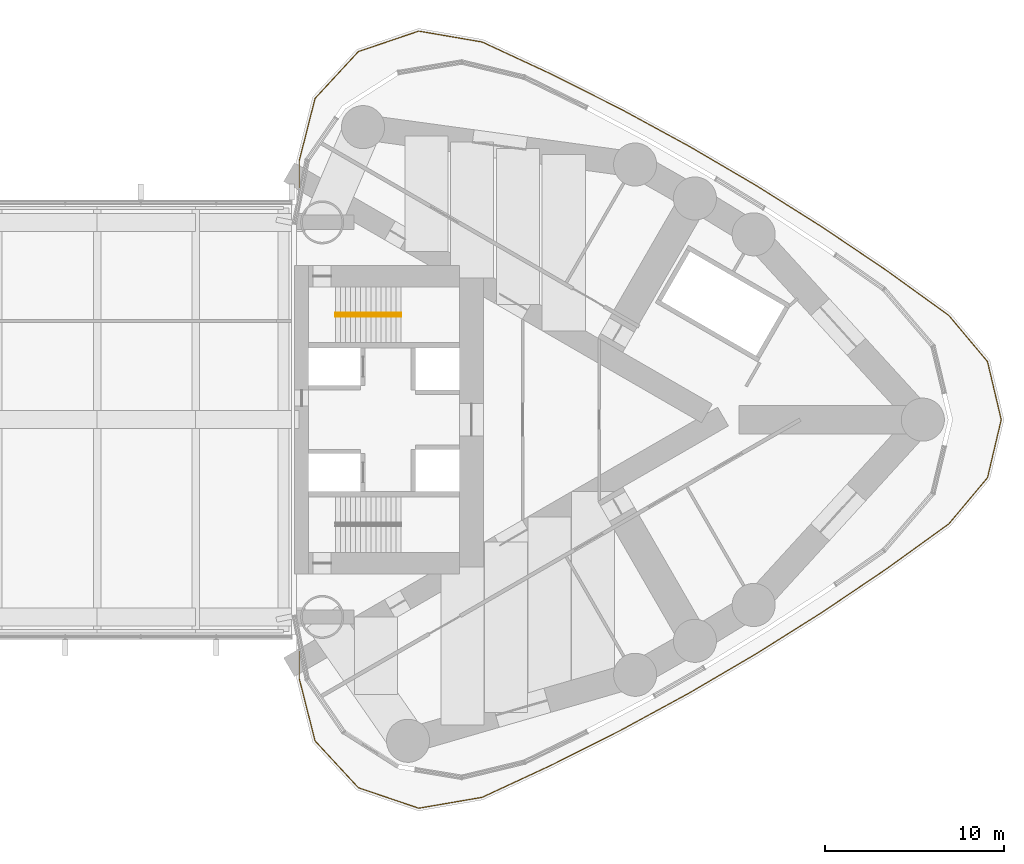
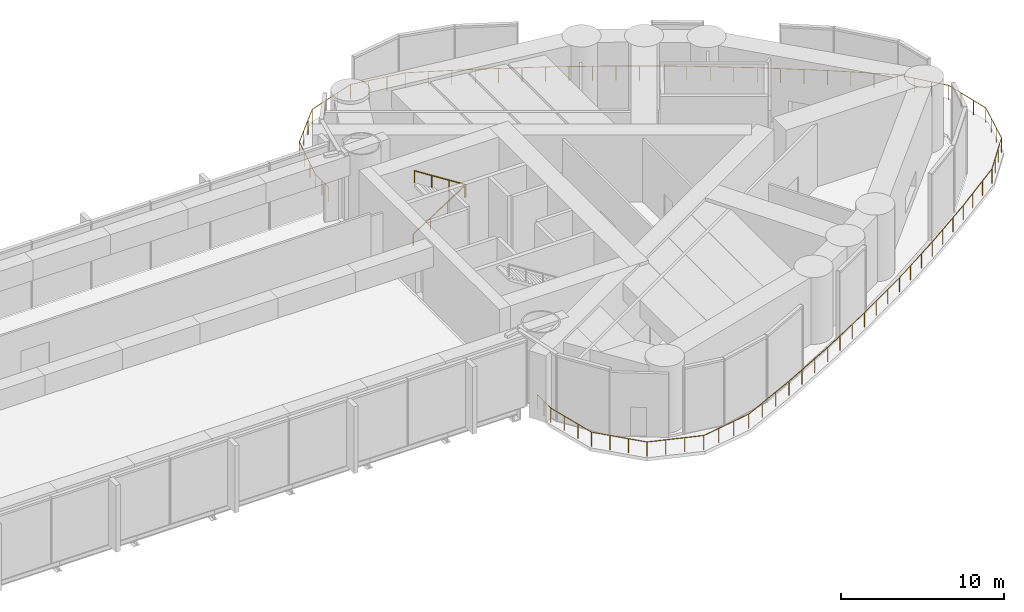
# One storey, part 22 of 22: 3 railings.
"""IFC4 building model written with IfcOpenShell, lengths in metres."""

from ifc_helpers import new_model, si_unit, direction, frame, origin, origin_2d, place, context, subcontext, project, spatial, circle, extrude, material, type_object, element, save


model = new_model("IFC4")

# Units and contexts
model_context = context("Model", 3, precision=1e-05, world=origin(), true_north=direction((0.0, 1.0)))
body_context = subcontext(model_context, "Body", "Model", "MODEL_VIEW")
ifc_project = project(units=[si_unit("LENGTHUNIT", "METRE"), si_unit("AREAUNIT", "SQUARE_METRE"), si_unit("VOLUMEUNIT", "CUBIC_METRE"), si_unit("PLANEANGLEUNIT", "RADIAN"), si_unit("MASSUNIT", "GRAM", prefix="KILO")], contexts=[model_context])

# Site, building, storey
site_placement = place(None, origin())
site = spatial("IfcSite", under=ifc_project, at=site_placement, CompositionType="ELEMENT")
building_placement = place(site_placement, origin())
building = spatial("IfcBuilding", under=site, at=building_placement, Name="Lancet Gate Hotel", CompositionType="ELEMENT")
storey_placement = place(building_placement, frame((0.0, 0.0, 210.300048828125)))
storey = spatial("IfcBuildingStorey", under=building, at=storey_placement, Name="L56", CompositionType="ELEMENT", Elevation=210.300048828125)

# Railings
ifc_material_1 = material(Name="Galvanised steel guard rail", Category="steel")
railing_type_1 = type_object("IfcRailingType", Name="Roof guard rail 1100", PredefinedType="GUARDRAIL", material=ifc_material_1)
railing_1_placement = place(storey_placement, frame((27.77001953125, -12.775146484375, 0.0)))
element("IfcRailing", 1, at=railing_1_placement, inside=storey, type_object=railing_type_1, Name="T2 L56 maintenance roof guard rail", PredefinedType="GUARDRAIL", context=body_context, shape_type="SweptSolid", body=[
    extrude(circle(Radius=0.02392578125, at=origin_2d()), frame((0.0, 0.0, 1.076171875), z_axis=(0.0, -1.0, 0.0), x_axis=(1.0, 0.0, 0.0)), (0.0, 0.0, 1.0), 1.65673828125),
    extrude(circle(Radius=0.02392578125, at=origin_2d()), frame((0.0, -1.65673828125, 1.076171875), z_axis=(0.246166014006, -0.969227678901, 0.0), x_axis=(0.969227678901, 0.246166014006, 0.0)), (0.0, 0.0, 1.0), 3.59033203125),
    extrude(circle(Radius=0.02392578125, at=origin_2d()), frame((0.8837890625, -5.136474609375, 1.076171875), z_axis=(0.678856006952, -0.734271422449, 0.0), x_axis=(0.734271422449, 0.678856006952, 0.0)), (0.0, 0.0, 1.0), 3.555419921875),
    extrude(circle(Radius=0.02392578125, at=origin_2d()), frame((3.29736328125, -7.7470703125, 1.076171875), z_axis=(0.946952580386, -0.321373319522, 0.0), x_axis=(0.321373319522, 0.946952580386, 0.0)), (0.0, 0.0, 1.0), 3.555419921875),
    extrude(circle(Radius=0.02392578125, at=origin_2d()), frame((6.6640625, -8.8896484375, 1.076171875), z_axis=(0.985542500389, 0.16942839174, 0.0), x_axis=(-0.16942839174, 0.985542500389, 0.0)), (0.0, 0.0, 1.0), 3.587890625),
    extrude(circle(Radius=0.02392578125, at=origin_2d()), frame((10.2001953125, -8.28173828125, 1.076171875), z_axis=(0.906929835868, 0.421281702442, 0.0), x_axis=(-0.421281702442, 0.906929835868, 0.0)), (0.0, 0.0, 1.0), 4.293701171875),
    extrude(circle(Radius=0.02392578125, at=origin_2d()), frame((14.09423828125, -6.472900390625, 1.076171875), z_axis=(0.893102516812, 0.449853192125, 0.0), x_axis=(-0.449853192125, 0.893102516812, 0.0)), (0.0, 0.0, 1.0), 4.325439453125),
    extrude(circle(Radius=0.02392578125, at=origin_2d()), frame((17.957275390625, -4.527099609375, 1.076171875), z_axis=(0.878414901966, 0.477898796822, 0.0), x_axis=(-0.477898796822, 0.878414901966, 0.0)), (0.0, 0.0, 1.0), 4.325439453125),
    extrude(circle(Radius=0.02392578125, at=origin_2d()), frame((21.7568359375, -2.4599609375, 1.076171875), z_axis=(0.862815132325, 0.50551958165, 0.0), x_axis=(-0.50551958165, 0.862815132325, 0.0)), (0.0, 0.0, 1.0), 4.3251953125),
    extrude(circle(Radius=0.02392578125, at=origin_2d()), frame((25.48876953125, -0.2734375, 1.076171875), z_axis=(0.84636760055, 0.532599178312, 0.0), x_axis=(-0.532599178312, 0.84636760055, 0.0)), (0.0, 0.0, 1.0), 4.325439453125),
    extrude(circle(Radius=0.02392578125, at=origin_2d()), frame((29.149658203125, 2.0302734375, 1.076171875), z_axis=(0.829042311204, 0.55918587807, 0.0), x_axis=(-0.55918587807, 0.829042311204, 0.0)), (0.0, 0.0, 1.0), 4.325439453125),
    extrude(circle(Radius=0.02392578125, at=origin_2d()), frame((32.735595703125, 4.448974609375, 1.076171875), z_axis=(0.810878482815, 0.585214564162, 0.0), x_axis=(-0.585214564162, 0.810878482815, 0.0)), (0.0, 0.0, 1.0), 4.296142578125),
    extrude(circle(Radius=0.02392578125, at=origin_2d()), frame((36.21923828125, 6.963134765625, 1.076171875), z_axis=(0.642199078384, 0.766537894512, 0.0), x_axis=(-0.766537894512, 0.642199078384, 0.0)), (0.0, 0.0, 1.0), 3.357666015625),
    extrude(circle(Radius=0.02392578125, at=origin_2d()), frame((38.37548828125, 9.536865234375, 1.076171875), z_axis=(0.23036400929, 0.973104528416, 0.0), x_axis=(-0.973104528416, 0.23036400929, 0.0)), (0.0, 0.0, 1.0), 3.327880859375),
    extrude(circle(Radius=0.02392578125, at=origin_2d()), frame((39.14208984375, 12.775146484375, 1.076171875), z_axis=(-0.23036400929, 0.973104528416, 0.0), x_axis=(-0.973104528416, -0.23036400929, 0.0)), (0.0, 0.0, 1.0), 3.327880859375),
    extrude(circle(Radius=0.02392578125, at=origin_2d()), frame((38.37548828125, 16.013427734375, 1.076171875), z_axis=(-0.642199078384, 0.766537894512, 0.0), x_axis=(-0.766537894512, -0.642199078384, 0.0)), (0.0, 0.0, 1.0), 3.357666015625),
    extrude(circle(Radius=0.02392578125, at=origin_2d()), frame((36.21923828125, 18.587158203125, 1.076171875), z_axis=(-0.810878482815, 0.585214564162, 0.0), x_axis=(-0.585214564162, -0.810878482815, 0.0)), (0.0, 0.0, 1.0), 4.296142578125),
    extrude(circle(Radius=0.02392578125, at=origin_2d()), frame((32.735595703125, 21.101318359375, 1.076171875), z_axis=(-0.829042311204, 0.55918587807, 0.0), x_axis=(-0.55918587807, -0.829042311204, 0.0)), (0.0, 0.0, 1.0), 4.325439453125),
    extrude(circle(Radius=0.02392578125, at=origin_2d()), frame((29.149658203125, 23.52001953125, 1.076171875), z_axis=(-0.84636760055, 0.532599178312, 0.0), x_axis=(-0.532599178312, -0.84636760055, 0.0)), (0.0, 0.0, 1.0), 4.325439453125),
    extrude(circle(Radius=0.02392578125, at=origin_2d()), frame((25.48876953125, 25.82373046875, 1.076171875), z_axis=(-0.862815132325, 0.50551958165, 0.0), x_axis=(-0.50551958165, -0.862815132325, 0.0)), (0.0, 0.0, 1.0), 4.3251953125),
    extrude(circle(Radius=0.02392578125, at=origin_2d()), frame((21.7568359375, 28.01025390625, 1.076171875), z_axis=(-0.878414901966, 0.477898796822, 0.0), x_axis=(-0.477898796822, -0.878414901966, 0.0)), (0.0, 0.0, 1.0), 4.325439453125),
    extrude(circle(Radius=0.02392578125, at=origin_2d()), frame((17.957275390625, 30.077392578125, 1.076171875), z_axis=(-0.893102516812, 0.449853192125, 0.0), x_axis=(-0.449853192125, -0.893102516812, 0.0)), (0.0, 0.0, 1.0), 4.325439453125),
    extrude(circle(Radius=0.02392578125, at=origin_2d()), frame((14.09423828125, 32.023193359375, 1.076171875), z_axis=(-0.906929835868, 0.421281702442, 0.0), x_axis=(-0.421281702442, -0.906929835868, 0.0)), (0.0, 0.0, 1.0), 4.293701171875),
    extrude(circle(Radius=0.02392578125, at=origin_2d()), frame((10.2001953125, 33.83203125, 1.076171875), z_axis=(-0.985542500389, 0.16942839174, 0.0), x_axis=(-0.16942839174, -0.985542500389, 0.0)), (0.0, 0.0, 1.0), 3.587890625),
    extrude(circle(Radius=0.02392578125, at=origin_2d()), frame((6.6640625, 34.43994140625, 1.076171875), z_axis=(-0.946952580386, -0.321373319522, 0.0), x_axis=(0.321373319522, -0.946952580386, 0.0)), (0.0, 0.0, 1.0), 3.555419921875),
    extrude(circle(Radius=0.02392578125, at=origin_2d()), frame((3.29736328125, 33.29736328125, 1.076171875), z_axis=(-0.678856006952, -0.734271422449, 0.0), x_axis=(0.734271422449, -0.678856006952, 0.0)), (0.0, 0.0, 1.0), 3.555419921875),
    extrude(circle(Radius=0.02392578125, at=origin_2d()), frame((0.8837890625, 30.686767578125, 1.076171875), z_axis=(-0.246166014006, -0.969227678901, 0.0), x_axis=(0.969227678901, -0.246166014006, 0.0)), (0.0, 0.0, 1.0), 3.59033203125),
    extrude(circle(Radius=0.02392578125, at=origin_2d()), frame((0.0, 27.20703125, 1.076171875), z_axis=(0.0, -1.0, 0.0), x_axis=(1.0, 0.0, 0.0)), (0.0, 0.0, 1.0), 1.65673828125),
    extrude(circle(Radius=0.02099609375, at=origin_2d()), origin(), (0.0, 0.0, 1.0), 1.052001953125),
    extrude(circle(Radius=0.02099609375, at=origin_2d()), frame((0.0, -0.828369140625, 0.0)), (0.0, 0.0, 1.0), 1.052001953125),
    extrude(circle(Radius=0.02099609375, at=origin_2d()), frame((0.0, -1.65673828125, 0.0)), (0.0, 0.0, 1.0), 1.052001953125),
    extrude(circle(Radius=0.02099609375, at=origin_2d()), frame((0.294677734375, -2.816650390625, 0.0)), (0.0, 0.0, 1.0), 1.052001953125),
    extrude(circle(Radius=0.02099609375, at=origin_2d()), frame((0.589111328125, -3.9765625, 0.0)), (0.0, 0.0, 1.0), 1.052001953125),
    extrude(circle(Radius=0.02099609375, at=origin_2d()), frame((0.8837890625, -5.136474609375, 0.0)), (0.0, 0.0, 1.0), 1.052001953125),
    extrude(circle(Radius=0.02099609375, at=origin_2d()), frame((1.688232421875, -6.006591796875, 0.0)), (0.0, 0.0, 1.0), 1.052001953125),
    extrude(circle(Radius=0.02099609375, at=origin_2d()), frame((2.492919921875, -6.876953125, 0.0)), (0.0, 0.0, 1.0), 1.052001953125),
    extrude(circle(Radius=0.02099609375, at=origin_2d()), frame((3.29736328125, -7.7470703125, 0.0)), (0.0, 0.0, 1.0), 1.052001953125),
    extrude(circle(Radius=0.02099609375, at=origin_2d()), frame((4.419677734375, -8.1279296875, 0.0)), (0.0, 0.0, 1.0), 1.052001953125),
    extrude(circle(Radius=0.02099609375, at=origin_2d()), frame((5.541748046875, -8.5087890625, 0.0)), (0.0, 0.0, 1.0), 1.052001953125),
    extrude(circle(Radius=0.02099609375, at=origin_2d()), frame((6.6640625, -8.8896484375, 0.0)), (0.0, 0.0, 1.0), 1.052001953125),
    extrude(circle(Radius=0.02099609375, at=origin_2d()), frame((7.8427734375, -8.68701171875, 0.0)), (0.0, 0.0, 1.0), 1.052001953125),
    extrude(circle(Radius=0.02099609375, at=origin_2d()), frame((9.021484375, -8.484375, 0.0)), (0.0, 0.0, 1.0), 1.052001953125),
    extrude(circle(Radius=0.02099609375, at=origin_2d()), frame((10.2001953125, -8.28173828125, 0.0)), (0.0, 0.0, 1.0), 1.052001953125),
    extrude(circle(Radius=0.02099609375, at=origin_2d()), frame((11.498291015625, -7.6787109375, 0.0)), (0.0, 0.0, 1.0), 1.052001953125),
    extrude(circle(Radius=0.02099609375, at=origin_2d()), frame((12.796142578125, -7.075927734375, 0.0)), (0.0, 0.0, 1.0), 1.052001953125),
    extrude(circle(Radius=0.02099609375, at=origin_2d()), frame((14.09423828125, -6.472900390625, 0.0)), (0.0, 0.0, 1.0), 1.052001953125),
    extrude(circle(Radius=0.02099609375, at=origin_2d()), frame((15.3818359375, -5.82421875, 0.0)), (0.0, 0.0, 1.0), 1.052001953125),
    extrude(circle(Radius=0.02099609375, at=origin_2d()), frame((16.669677734375, -5.17578125, 0.0)), (0.0, 0.0, 1.0), 1.052001953125),
    extrude(circle(Radius=0.02099609375, at=origin_2d()), frame((17.957275390625, -4.527099609375, 0.0)), (0.0, 0.0, 1.0), 1.052001953125),
    extrude(circle(Radius=0.02099609375, at=origin_2d()), frame((19.223876953125, -3.838134765625, 0.0)), (0.0, 0.0, 1.0), 1.052001953125),
    extrude(circle(Radius=0.02099609375, at=origin_2d()), frame((20.490234375, -3.14892578125, 0.0)), (0.0, 0.0, 1.0), 1.052001953125),
    extrude(circle(Radius=0.02099609375, at=origin_2d()), frame((21.7568359375, -2.4599609375, 0.0)), (0.0, 0.0, 1.0), 1.052001953125),
    extrude(circle(Radius=0.02099609375, at=origin_2d()), frame((23.000732421875, -1.731201171875, 0.0)), (0.0, 0.0, 1.0), 1.052001953125),
    extrude(circle(Radius=0.02099609375, at=origin_2d()), frame((24.244873046875, -1.002197265625, 0.0)), (0.0, 0.0, 1.0), 1.052001953125),
    extrude(circle(Radius=0.02099609375, at=origin_2d()), frame((25.48876953125, -0.2734375, 0.0)), (0.0, 0.0, 1.0), 1.052001953125),
    extrude(circle(Radius=0.02099609375, at=origin_2d()), frame((26.708984375, 0.494384765625, 0.0)), (0.0, 0.0, 1.0), 1.052001953125),
    extrude(circle(Radius=0.02099609375, at=origin_2d()), frame((27.929443359375, 1.262451171875, 0.0)), (0.0, 0.0, 1.0), 1.052001953125),
    extrude(circle(Radius=0.02099609375, at=origin_2d()), frame((29.149658203125, 2.0302734375, 0.0)), (0.0, 0.0, 1.0), 1.052001953125),
    extrude(circle(Radius=0.02099609375, at=origin_2d()), frame((30.344970703125, 2.83642578125, 0.0)), (0.0, 0.0, 1.0), 1.052001953125),
    extrude(circle(Radius=0.02099609375, at=origin_2d()), frame((31.540283203125, 3.642822265625, 0.0)), (0.0, 0.0, 1.0), 1.052001953125),
    extrude(circle(Radius=0.02099609375, at=origin_2d()), frame((32.735595703125, 4.448974609375, 0.0)), (0.0, 0.0, 1.0), 1.052001953125),
    extrude(circle(Radius=0.02099609375, at=origin_2d()), frame((33.896728515625, 5.287109375, 0.0)), (0.0, 0.0, 1.0), 1.052001953125),
    extrude(circle(Radius=0.02099609375, at=origin_2d()), frame((35.05810546875, 6.125, 0.0)), (0.0, 0.0, 1.0), 1.052001953125),
    extrude(circle(Radius=0.02099609375, at=origin_2d()), frame((36.21923828125, 6.963134765625, 0.0)), (0.0, 0.0, 1.0), 1.052001953125),
    extrude(circle(Radius=0.02099609375, at=origin_2d()), frame((36.93798828125, 7.821044921875, 0.0)), (0.0, 0.0, 1.0), 1.052001953125),
    extrude(circle(Radius=0.02099609375, at=origin_2d()), frame((37.65673828125, 8.678955078125, 0.0)), (0.0, 0.0, 1.0), 1.052001953125),
    extrude(circle(Radius=0.02099609375, at=origin_2d()), frame((38.37548828125, 9.536865234375, 0.0)), (0.0, 0.0, 1.0), 1.052001953125),
    extrude(circle(Radius=0.02099609375, at=origin_2d()), frame((38.631103515625, 10.6162109375, 0.0)), (0.0, 0.0, 1.0), 1.052001953125),
    extrude(circle(Radius=0.02099609375, at=origin_2d()), frame((38.886474609375, 11.69580078125, 0.0)), (0.0, 0.0, 1.0), 1.052001953125),
    extrude(circle(Radius=0.02099609375, at=origin_2d()), frame((39.14208984375, 12.775146484375, 0.0)), (0.0, 0.0, 1.0), 1.052001953125),
    extrude(circle(Radius=0.02099609375, at=origin_2d()), frame((38.886474609375, 13.8544921875, 0.0)), (0.0, 0.0, 1.0), 1.052001953125),
    extrude(circle(Radius=0.02099609375, at=origin_2d()), frame((38.631103515625, 14.93408203125, 0.0)), (0.0, 0.0, 1.0), 1.052001953125),
    extrude(circle(Radius=0.02099609375, at=origin_2d()), frame((38.37548828125, 16.013427734375, 0.0)), (0.0, 0.0, 1.0), 1.052001953125),
    extrude(circle(Radius=0.02099609375, at=origin_2d()), frame((37.65673828125, 16.871337890625, 0.0)), (0.0, 0.0, 1.0), 1.052001953125),
    extrude(circle(Radius=0.02099609375, at=origin_2d()), frame((36.93798828125, 17.729248046875, 0.0)), (0.0, 0.0, 1.0), 1.052001953125),
    extrude(circle(Radius=0.02099609375, at=origin_2d()), frame((36.21923828125, 18.587158203125, 0.0)), (0.0, 0.0, 1.0), 1.052001953125),
    extrude(circle(Radius=0.02099609375, at=origin_2d()), frame((35.05810546875, 19.42529296875, 0.0)), (0.0, 0.0, 1.0), 1.052001953125),
    extrude(circle(Radius=0.02099609375, at=origin_2d()), frame((33.896728515625, 20.26318359375, 0.0)), (0.0, 0.0, 1.0), 1.052001953125),
    extrude(circle(Radius=0.02099609375, at=origin_2d()), frame((32.735595703125, 21.101318359375, 0.0)), (0.0, 0.0, 1.0), 1.052001953125),
    extrude(circle(Radius=0.02099609375, at=origin_2d()), frame((31.540283203125, 21.907470703125, 0.0)), (0.0, 0.0, 1.0), 1.052001953125),
    extrude(circle(Radius=0.02099609375, at=origin_2d()), frame((30.344970703125, 22.7138671875, 0.0)), (0.0, 0.0, 1.0), 1.052001953125),
    extrude(circle(Radius=0.02099609375, at=origin_2d()), frame((29.149658203125, 23.52001953125, 0.0)), (0.0, 0.0, 1.0), 1.052001953125),
    extrude(circle(Radius=0.02099609375, at=origin_2d()), frame((27.929443359375, 24.287841796875, 0.0)), (0.0, 0.0, 1.0), 1.052001953125),
    extrude(circle(Radius=0.02099609375, at=origin_2d()), frame((26.708984375, 25.055908203125, 0.0)), (0.0, 0.0, 1.0), 1.052001953125),
    extrude(circle(Radius=0.02099609375, at=origin_2d()), frame((25.48876953125, 25.82373046875, 0.0)), (0.0, 0.0, 1.0), 1.052001953125),
    extrude(circle(Radius=0.02099609375, at=origin_2d()), frame((24.244873046875, 26.552490234375, 0.0)), (0.0, 0.0, 1.0), 1.052001953125),
    extrude(circle(Radius=0.02099609375, at=origin_2d()), frame((23.000732421875, 27.281494140625, 0.0)), (0.0, 0.0, 1.0), 1.052001953125),
    extrude(circle(Radius=0.02099609375, at=origin_2d()), frame((21.7568359375, 28.01025390625, 0.0)), (0.0, 0.0, 1.0), 1.052001953125),
    extrude(circle(Radius=0.02099609375, at=origin_2d()), frame((20.490234375, 28.69921875, 0.0)), (0.0, 0.0, 1.0), 1.052001953125),
    extrude(circle(Radius=0.02099609375, at=origin_2d()), frame((19.223876953125, 29.388427734375, 0.0)), (0.0, 0.0, 1.0), 1.052001953125),
    extrude(circle(Radius=0.02099609375, at=origin_2d()), frame((17.957275390625, 30.077392578125, 0.0)), (0.0, 0.0, 1.0), 1.052001953125),
    extrude(circle(Radius=0.02099609375, at=origin_2d()), frame((16.669677734375, 30.72607421875, 0.0)), (0.0, 0.0, 1.0), 1.052001953125),
    extrude(circle(Radius=0.02099609375, at=origin_2d()), frame((15.3818359375, 31.37451171875, 0.0)), (0.0, 0.0, 1.0), 1.052001953125),
    extrude(circle(Radius=0.02099609375, at=origin_2d()), frame((14.09423828125, 32.023193359375, 0.0)), (0.0, 0.0, 1.0), 1.052001953125),
    extrude(circle(Radius=0.02099609375, at=origin_2d()), frame((12.796142578125, 32.626220703125, 0.0)), (0.0, 0.0, 1.0), 1.052001953125),
    extrude(circle(Radius=0.02099609375, at=origin_2d()), frame((11.498291015625, 33.22900390625, 0.0)), (0.0, 0.0, 1.0), 1.052001953125),
    extrude(circle(Radius=0.02099609375, at=origin_2d()), frame((10.2001953125, 33.83203125, 0.0)), (0.0, 0.0, 1.0), 1.052001953125),
    extrude(circle(Radius=0.02099609375, at=origin_2d()), frame((9.021484375, 34.03466796875, 0.0)), (0.0, 0.0, 1.0), 1.052001953125),
    extrude(circle(Radius=0.02099609375, at=origin_2d()), frame((7.8427734375, 34.2373046875, 0.0)), (0.0, 0.0, 1.0), 1.052001953125),
    extrude(circle(Radius=0.02099609375, at=origin_2d()), frame((6.6640625, 34.43994140625, 0.0)), (0.0, 0.0, 1.0), 1.052001953125),
    extrude(circle(Radius=0.02099609375, at=origin_2d()), frame((5.541748046875, 34.05908203125, 0.0)), (0.0, 0.0, 1.0), 1.052001953125),
    extrude(circle(Radius=0.02099609375, at=origin_2d()), frame((4.419677734375, 33.67822265625, 0.0)), (0.0, 0.0, 1.0), 1.052001953125),
    extrude(circle(Radius=0.02099609375, at=origin_2d()), frame((3.29736328125, 33.29736328125, 0.0)), (0.0, 0.0, 1.0), 1.052001953125),
    extrude(circle(Radius=0.02099609375, at=origin_2d()), frame((2.492919921875, 32.42724609375, 0.0)), (0.0, 0.0, 1.0), 1.052001953125),
    extrude(circle(Radius=0.02099609375, at=origin_2d()), frame((1.688232421875, 31.556884765625, 0.0)), (0.0, 0.0, 1.0), 1.052001953125),
    extrude(circle(Radius=0.02099609375, at=origin_2d()), frame((0.8837890625, 30.686767578125, 0.0)), (0.0, 0.0, 1.0), 1.052001953125),
    extrude(circle(Radius=0.02099609375, at=origin_2d()), frame((0.589111328125, 29.52685546875, 0.0)), (0.0, 0.0, 1.0), 1.052001953125),
    extrude(circle(Radius=0.02099609375, at=origin_2d()), frame((0.294677734375, 28.366943359375, 0.0)), (0.0, 0.0, 1.0), 1.052001953125),
    extrude(circle(Radius=0.02099609375, at=origin_2d()), frame((0.0, 27.20703125, 0.0)), (0.0, 0.0, 1.0), 1.052001953125),
    extrude(circle(Radius=0.02099609375, at=origin_2d()), frame((0.0, 26.378662109375, 0.0)), (0.0, 0.0, 1.0), 1.052001953125),
    extrude(circle(Radius=0.02099609375, at=origin_2d()), frame((0.0, 25.55029296875, 0.0)), (0.0, 0.0, 1.0), 1.052001953125),
])
ifc_material_2 = material(Name="Stainless steel handrail", Category="steel")
railing_type_2 = type_object("IfcRailingType", Name="Stair handrail 900", PredefinedType="HANDRAIL", material=ifc_material_2)
railing_2_placement = place(storey_placement, frame((29.800048828125, 5.929931640625, 0.178466796875)))
element("IfcRailing", 2, at=railing_2_placement, inside=storey, type_object=railing_type_2, Name="ST4 handrail flight 1 L56", PredefinedType="HANDRAIL", context=body_context, shape_type="SweptSolid", body=[
    extrude(circle(Radius=0.02392578125, at=origin_2d()), frame((0.0, 0.0, 0.8759765625), z_axis=(0.843111507901, 0.0, 0.53773877045), x_axis=(0.0, 1.0, 0.0)), (0.0, 0.0, 1.0), 4.317138671875),
    extrude(circle(Radius=0.02099609375, at=origin_2d()), origin(), (0.0, 0.0, 1.0), 0.851806640625),
    extrude(circle(Radius=0.02099609375, at=origin_2d()), frame((1.21337890625, 0.0, 0.77392578125)), (0.0, 0.0, 1.0), 0.851806640625),
    extrude(circle(Radius=0.02099609375, at=origin_2d()), frame((2.426513671875, 0.0, 1.547607421875)), (0.0, 0.0, 1.0), 0.851806640625),
    extrude(circle(Radius=0.02099609375, at=origin_2d()), frame((3.639892578125, 0.0, 2.321533203125)), (0.0, 0.0, 1.0), 0.851806640625),
])
railing_3_placement = place(storey_placement, frame((33.43994140625, 5.77001953125, 2.678466796875)))
element("IfcRailing", 3, at=railing_3_placement, inside=storey, type_object=railing_type_2, Name="ST4 handrail flight 2 L56", PredefinedType="HANDRAIL", context=body_context, shape_type="SweptSolid", body=[
    extrude(circle(Radius=0.02392578125, at=origin_2d()), frame((0.0, 0.0, 0.8759765625), z_axis=(-0.843111507901, 0.0, 0.53773877045), x_axis=(0.0, -1.0, 0.0)), (0.0, 0.0, 1.0), 4.317138671875),
    extrude(circle(Radius=0.02099609375, at=origin_2d()), origin(), (0.0, 0.0, 1.0), 0.851806640625),
    extrude(circle(Radius=0.02099609375, at=origin_2d()), frame((-1.21337890625, 0.0, 0.77392578125)), (0.0, 0.0, 1.0), 0.851806640625),
    extrude(circle(Radius=0.02099609375, at=origin_2d()), frame((-2.426513671875, 0.0, 1.547607421875)), (0.0, 0.0, 1.0), 0.851806640625),
    extrude(circle(Radius=0.02099609375, at=origin_2d()), frame((-3.639892578125, 0.0, 2.321533203125)), (0.0, 0.0, 1.0), 0.851806640625),
])

save(model, "model.ifc")
